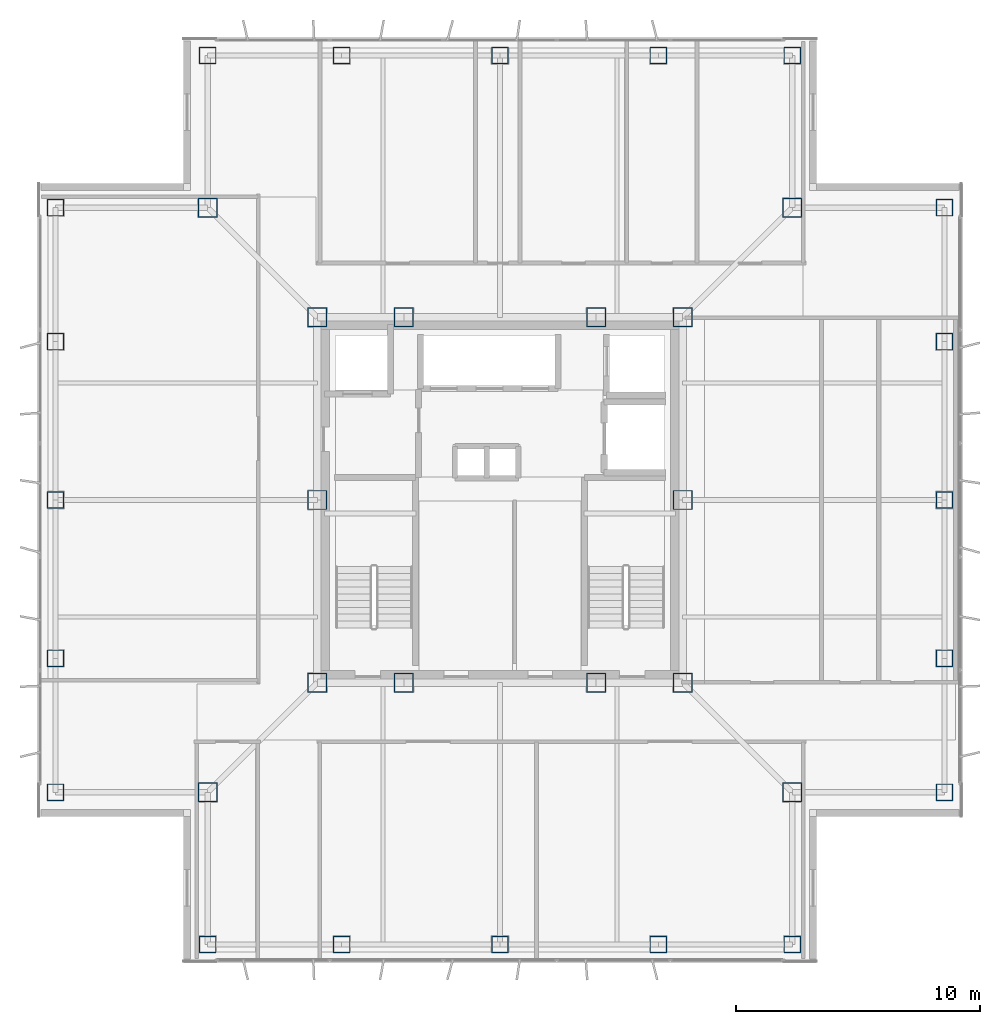
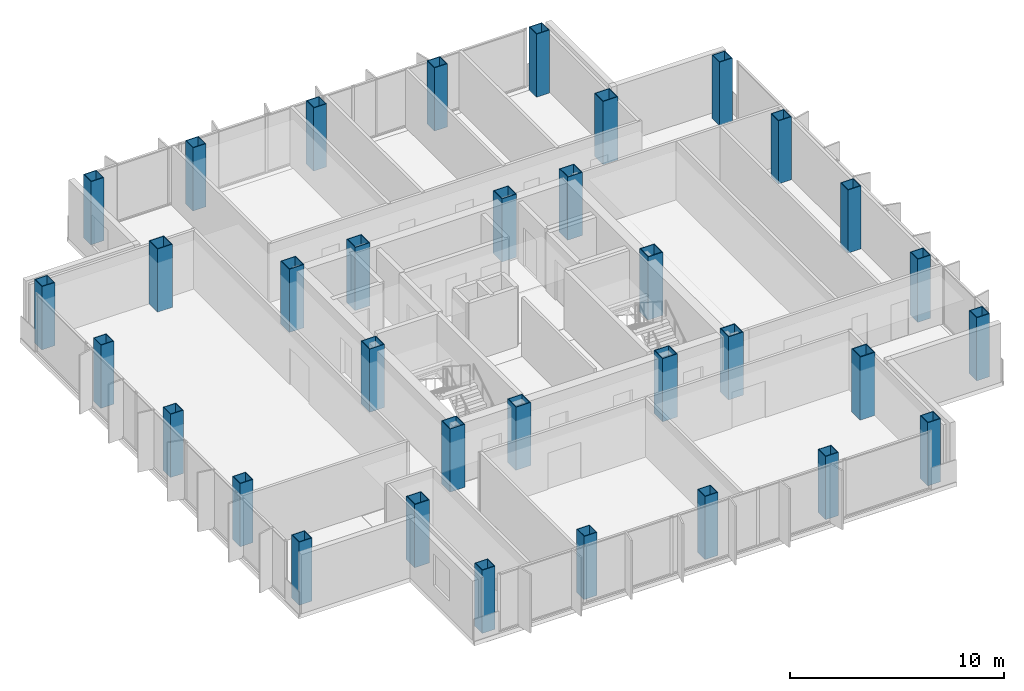
# One storey, part 1 of 15: 34 columns.
"""IFC4 building model written with IfcOpenShell, lengths in metres."""

import ifcopenshell
import ifcopenshell.guid

model = None  # the IFC model being written
_history = None  # IfcOwnerHistory: only IFC2X3 demands one
_inside = {}  # id of a spatial element -> (the spatial element, [elements in it])
_under = {}  # id of a project, library or spatial element -> (it, [spatial elements below it])
_declared = {}  # id of a project -> (the project, [libraries it declares])
_typed = {}  # id of a type object -> (the type object, [elements of that type])
_made_of = {}  # id of a material, layer set ... -> (it, [elements and type objects made of it])


def new_model(schema):
    """Start an empty IFC model of exactly this schema.

    Asked for "IFC4X3", IfcOpenShell would pick the latest addendum, in which some entities
    have other attributes; the version numbers below select the first issue.
    IFC2X3 requires an IfcOwnerHistory on every rooted entity: one is made here for all.
    """
    global model, _history
    if schema == "IFC4X3":
        model = ifcopenshell.file(schema_version=(4, 3, 0, 0))
    else:
        model = ifcopenshell.file(schema=schema)
    _inside.clear()
    _under.clear()
    _declared.clear()
    _typed.clear()
    _made_of.clear()
    _history = None
    if model.schema == "IFC2X3":
        org = make("IfcOrganization", Name="unknown")
        user = make(
            "IfcPersonAndOrganization",
            ThePerson=make("IfcPerson", FamilyName="unknown"),
            TheOrganization=org,
        )
        app = make(
            "IfcApplication",
            ApplicationDeveloper=org,
            Version="unknown",
            ApplicationFullName="unknown",
            ApplicationIdentifier="unknown",
        )
        _history = make(
            "IfcOwnerHistory",
            OwningUser=user,
            OwningApplication=app,
            ChangeAction="ADDED",
            CreationDate=0,
        )
    return model


def make(cls, **values):
    """One entity of the class cls with the attributes given. An attribute that is None is left unset."""
    return model.create_entity(
        cls, **{name: value for name, value in values.items() if value is not None}
    )


def rooted(cls, **values):
    """An entity with a GlobalId (a new one), such as an element, a storey or a relation."""
    return make(cls, GlobalId=ifcopenshell.guid.new(), OwnerHistory=_history, **values)


def si_unit(unit_type, name, prefix=None):
    """IfcSIUnit, for example si_unit("LENGTHUNIT", "METRE", prefix="MILLI")."""
    return make("IfcSIUnit", UnitType=unit_type, Prefix=prefix, Name=name)


def assignment(units):
    """IfcUnitAssignment: the units of a project."""
    return None if units is None else make("IfcUnitAssignment", Units=units)


def point(xyz):
    """IfcCartesianPoint."""
    return None if xyz is None else make("IfcCartesianPoint", Coordinates=xyz)


def direction(xyz):
    """IfcDirection."""
    return None if xyz is None else make("IfcDirection", DirectionRatios=xyz)


def frame(location, z_axis=None, x_axis=None):
    """IfcAxis2Placement3D, a coordinate frame: its origin and axes. An axis left out is left unset."""
    return make(
        "IfcAxis2Placement3D",
        Location=point(location),
        Axis=direction(z_axis),
        RefDirection=direction(x_axis),
    )


def frame_2d(location, x_axis=None):
    """IfcAxis2Placement2D, a coordinate frame in the plane: its origin and x axis."""
    return make(
        "IfcAxis2Placement2D", Location=point(location), RefDirection=direction(x_axis)
    )


def origin():
    """The frame at (0, 0, 0) with its axes left unset."""
    return frame((0.0, 0.0, 0.0))


def origin_2d():
    """The frame at (0, 0) in the plane with its x axis left unset."""
    return frame_2d((0.0, 0.0))


def place(relative_to, where):
    """IfcLocalPlacement: puts the frame where relative to a parent placement (None: the world)."""
    return make(
        "IfcLocalPlacement", PlacementRelTo=relative_to, RelativePlacement=where
    )


def context(
    kind, dimensions, precision=None, world=None, true_north=None, identifier=None
):
    """IfcGeometricRepresentationContext, for example the 3D "Model" context."""
    return make(
        "IfcGeometricRepresentationContext",
        ContextIdentifier=identifier,
        ContextType=kind,
        CoordinateSpaceDimension=dimensions,
        Precision=precision,
        WorldCoordinateSystem=world,
        TrueNorth=true_north,
    )


def subcontext(parent, identifier, kind, view, scale=None):
    """IfcGeometricRepresentationSubContext, for example "Body" below "Model"."""
    return make(
        "IfcGeometricRepresentationSubContext",
        ContextIdentifier=identifier,
        ContextType=kind,
        ParentContext=parent,
        TargetScale=scale,
        TargetView=view,
    )


def project(units=None, contexts=None):
    """IfcProject with its units and contexts."""
    return rooted(
        "IfcProject",
        Name="project",
        RepresentationContexts=contexts,
        UnitsInContext=assignment(units),
    )


def spatial(cls, under=None, at=None, **own):
    """A site, building, storey or space (cls), placed at a placement, below another one or the project."""
    s = rooted(cls, ObjectPlacement=at, **own)
    if under is not None:
        _under.setdefault(under.id(), (under, []))[1].append(s)
    return s


def profile(cls, at=None, kind="AREA", **sizes):
    """A parametric profile (cls). Its sizes go by their IFC names, for example OverallWidth=200.0."""
    return make(cls, ProfileType=kind, Position=at, **sizes)


def hollow_rectangle(**sizes):
    """IfcRectangleHollowProfileDef."""
    return profile("IfcRectangleHollowProfileDef", **sizes)


def extrude(swept, where, along, depth):
    """IfcExtrudedAreaSolid: the profile swept, set in the frame where, extruded along a direction by depth."""
    return make(
        "IfcExtrudedAreaSolid",
        SweptArea=swept,
        Position=where,
        ExtrudedDirection=direction(along),
        Depth=depth,
    )


def shape(context_of_items, identifier, shape_type, items):
    """IfcShapeRepresentation: the items that make up one representation, for example the "Body"."""
    return make(
        "IfcShapeRepresentation",
        ContextOfItems=context_of_items,
        RepresentationIdentifier=identifier,
        RepresentationType=shape_type,
        Items=items,
    )


def material(Name=None, Category=None):
    """IfcMaterial."""
    return make("IfcMaterial", Name=Name, Category=Category)


def material_profile(
    of_material, cross_section, Name=None, Category=None, Priority=None
):
    """IfcMaterialProfile: a cross section and its material."""
    return make(
        "IfcMaterialProfile",
        Name=Name,
        Material=of_material,
        Profile=cross_section,
        Priority=Priority,
        Category=Category,
    )


def profile_set(profiles, Name=None, composite=None):
    """IfcMaterialProfileSet."""
    return make(
        "IfcMaterialProfileSet",
        Name=Name,
        MaterialProfiles=profiles,
        CompositeProfile=composite,
    )


def made_of(thing, what):
    """Note that an element or type object is made of a material, layer set ...; save() writes the relation."""
    if what is not None:
        _made_of.setdefault(what.id(), (what, []))[1].append(thing)
    return thing


def type_object(cls, material=None, **own):
    """A type object (cls), such as IfcWallType, which elements share."""
    return made_of(rooted(cls, **own), material)


def element(
    cls,
    number,
    at=None,
    inside=None,
    cuts=None,
    type_object=None,
    material=None,
    context=None,
    identifier="Body",
    shape_type=None,
    held_by="IfcProductDefinitionShape",
    body=None,
    shapes=None,
    **own,
):
    """One element of the class cls, such as IfcWall. Its Tag is "e" and its number.

    at: its placement. inside: the storey or other place that contains it. cuts: it is an
    opening in that element (IfcRelVoidsElement). A single representation is given by context,
    identifier, shape_type and body (its items); several are given by shapes. held_by: the class
    of the entity that holds the representations. save() writes the other relations.
    """
    e = rooted(cls, Tag="e%d" % number, ObjectPlacement=at, **own)
    if body is not None:
        shapes = [shape(context, identifier, shape_type, body)]
    if shapes is not None:
        e.Representation = make(held_by, Representations=shapes)
    if inside is not None:
        _inside.setdefault(inside.id(), (inside, []))[1].append(e)
    if cuts is not None:
        rooted(
            "IfcRelVoidsElement", RelatingBuildingElement=cuts, RelatedOpeningElement=e
        )
    if type_object is not None:
        _typed.setdefault(type_object.id(), (type_object, []))[1].append(e)
    return made_of(e, material)


def aggregate(whole, parts):
    """IfcRelAggregates: a whole, such as a stair, and the parts it consists of."""
    return rooted("IfcRelAggregates", RelatingObject=whole, RelatedObjects=parts)


def save(model, path):
    """Write the relations noted so far, then the file.

    IfcRelAggregates (storeys below a building ...), IfcRelContainedInSpatialStructure (elements
    in a storey), IfcRelDefinesByType, IfcRelAssociatesMaterial and IfcRelDeclares: one each for
    every whole, place, type object, material and project.
    """
    for whole, parts in _under.values():
        aggregate(whole, parts)
    for where, things in _inside.values():
        rooted(
            "IfcRelContainedInSpatialStructure",
            RelatedElements=things,
            RelatingStructure=where,
        )
    for kind, things in _typed.values():
        rooted("IfcRelDefinesByType", RelatedObjects=things, RelatingType=kind)
    for what, things in _made_of.values():
        rooted("IfcRelAssociatesMaterial", RelatedObjects=things, RelatingMaterial=what)
    for by, libraries in _declared.values():
        rooted("IfcRelDeclares", RelatingContext=by, RelatedDefinitions=libraries)
    model.write(path)


model = new_model("IFC4")

# Units and contexts
model_context = context("Model", 3, precision=1e-05, world=origin(), true_north=direction((0.0, 1.0)))
body_context = subcontext(model_context, "Body", "Model", "MODEL_VIEW")
ifc_project = project(units=[si_unit("LENGTHUNIT", "METRE"), si_unit("AREAUNIT", "SQUARE_METRE"), si_unit("VOLUMEUNIT", "CUBIC_METRE"), si_unit("PLANEANGLEUNIT", "RADIAN"), si_unit("MASSUNIT", "GRAM", prefix="KILO")], contexts=[model_context])

# Site, building, storey
site_placement = place(None, origin())
site = spatial("IfcSite", under=ifc_project, at=site_placement, CompositionType="ELEMENT")
building_placement = place(site_placement, origin())
building = spatial("IfcBuilding", under=site, at=building_placement, Name="Trevonay Congress Spire", CompositionType="ELEMENT")
storey_placement = place(building_placement, frame((0.0, 0.0, 272.0)))
storey = spatial("IfcBuildingStorey", under=building, at=storey_placement, Name="L71", CompositionType="ELEMENT", Elevation=272.0)

# Columns
ifc_material = material(Name="Steel ASTM A572 Grade 50", Category="steel")
ifc_material_profile_1 = material_profile(ifc_material, hollow_rectangle(XDim=0.800048828125, YDim=0.800048828125, WallThickness=0.0400390625, at=origin_2d()), Name="BOX 800x800x40")
ifc_profile_set_1 = profile_set([ifc_material_profile_1], Name="Steel ASTM A572 Grade 50")
column_type_1 = type_object("IfcColumnType", Name="COL-CORE-BOX800", PredefinedType="COLUMN", material=ifc_profile_set_1)
for number, where, z_axis, x_axis, name in (
    (1, (-7.5, -7.5, 0.0), (0.0, 0.0, 1.0), (1.0, 0.0, 0.0), "L71 column C05 at CC-SW"),
    (2, (-3.949951171875, -7.5, 0.0), (0.0, 0.0, 1.0), (1.0, 0.0, 0.0), "L71 column C05 at CC-SMW"),
    (3, (3.949951171875, -7.5, 0.0), (0.0, 0.0, 1.0), (1.0, 0.0, 0.0), "L71 column C05 at CC-SME"),
    (4, (7.5, -7.5, 0.0), (0.0, 0.0, 1.0), (1.0, 0.0, 0.0), "L71 column C05 at CC-SE"),
    (5, (7.5, 0.0, 0.0), (0.0, 0.0, 1.0), (1.0, 0.0, 0.0), "L71 column C05 at CC-E"),
    (6, (7.5, 7.5, 0.0), (0.0, 0.0, 1.0), (1.0, 0.0, 0.0), "L71 column C05 at CC-NE"),
    (7, (3.949951171875, 7.5, 0.0), (0.0, 0.0, 1.0), (1.0, 0.0, 0.0), "L71 column C05 at CC-NME"),
    (8, (-3.949951171875, 7.5, 0.0), (0.0, 0.0, 1.0), (1.0, 0.0, 0.0), "L71 column C05 at CC-NMW"),
    (9, (-7.5, 7.5, 0.0), (0.0, 0.0, 1.0), (1.0, 0.0, 0.0), "L71 column C05 at CC-NW"),
    (10, (-7.5, 0.0, 0.0), (0.0, 0.0, 1.0), (1.0, 0.0, 0.0), "L71 column C05 at CC-W"),
):
    element("IfcColumn", number, at=place(storey_placement, frame(where, z_axis=z_axis, x_axis=x_axis)), inside=storey, type_object=column_type_1, Name=name, PredefinedType="COLUMN", context=body_context, shape_type="SweptSolid", body=[
        extrude(hollow_rectangle(XDim=0.800048828125, YDim=0.800048828125, WallThickness=0.0400390625, at=origin_2d()), origin(), (0.0, 0.0, 1.0), 3.60009765625),
    ])
ifc_material_profile_2 = material_profile(ifc_material, hollow_rectangle(XDim=0.699951171875, YDim=0.699951171875, WallThickness=0.034912109375, at=origin_2d()), Name="BOX 700x700x35")
ifc_profile_set_2 = profile_set([ifc_material_profile_2], Name="Steel ASTM A572 Grade 50")
column_type_2 = type_object("IfcColumnType", Name="COL-TUBE-BOX700", PredefinedType="COLUMN", material=ifc_profile_set_2)
for number, where, z_axis, x_axis, name in (
    (11, (-12.0, -18.25, 0.0), (0.0, 0.0, 1.0), (1.0, 0.0, 0.0), "L71 column C17 at TS-1"),
    (12, (-12.0, 18.25, 0.0), (0.0, 0.0, 1.0), (1.0, 0.0, 0.0), "L71 column C17 at TN-1"),
    (13, (-18.25, -12.0, 0.0), (0.0, 0.0, 1.0), (1.0, 0.0, 0.0), "L71 column C17 at TW-1"),
    (14, (18.25, -12.0, 0.0), (0.0, 0.0, 1.0), (1.0, 0.0, 0.0), "L71 column C17 at TE-1"),
    (15, (-6.5, -18.25, 0.0), (0.0, 0.0, 1.0), (1.0, 0.0, 0.0), "L71 column C17 at TS-2"),
    (16, (-6.5, 18.25, 0.0), (0.0, 0.0, 1.0), (1.0, 0.0, 0.0), "L71 column C17 at TN-2"),
    (17, (-18.25, -6.5, 0.0), (0.0, 0.0, 1.0), (1.0, 0.0, 0.0), "L71 column C17 at TW-2"),
    (18, (18.25, -6.5, 0.0), (0.0, 0.0, 1.0), (1.0, 0.0, 0.0), "L71 column C17 at TE-2"),
    (19, (0.0, -18.25, 0.0), (0.0, 0.0, 1.0), (1.0, 0.0, 0.0), "L71 column C17 at TS-3"),
    (20, (0.0, 18.25, 0.0), (0.0, 0.0, 1.0), (1.0, 0.0, 0.0), "L71 column C17 at TN-3"),
    (21, (-18.25, 0.0, 0.0), (0.0, 0.0, 1.0), (1.0, 0.0, 0.0), "L71 column C17 at TW-3"),
    (22, (18.25, 0.0, 0.0), (0.0, 0.0, 1.0), (1.0, 0.0, 0.0), "L71 column C17 at TE-3"),
    (23, (6.5, -18.25, 0.0), (0.0, 0.0, 1.0), (1.0, 0.0, 0.0), "L71 column C17 at TS-4"),
    (24, (6.5, 18.25, 0.0), (0.0, 0.0, 1.0), (1.0, 0.0, 0.0), "L71 column C17 at TN-4"),
    (25, (-18.25, 6.5, 0.0), (0.0, 0.0, 1.0), (1.0, 0.0, 0.0), "L71 column C17 at TW-4"),
    (26, (18.25, 6.5, 0.0), (0.0, 0.0, 1.0), (1.0, 0.0, 0.0), "L71 column C17 at TE-4"),
    (27, (12.0, -18.25, 0.0), (0.0, 0.0, 1.0), (1.0, 0.0, 0.0), "L71 column C17 at TS-5"),
    (28, (12.0, 18.25, 0.0), (0.0, 0.0, 1.0), (1.0, 0.0, 0.0), "L71 column C17 at TN-5"),
    (29, (-18.25, 12.0, 0.0), (0.0, 0.0, 1.0), (1.0, 0.0, 0.0), "L71 column C17 at TW-5"),
    (30, (18.25, 12.0, 0.0), (0.0, 0.0, 1.0), (1.0, 0.0, 0.0), "L71 column C17 at TE-5"),
):
    element("IfcColumn", number, at=place(storey_placement, frame(where, z_axis=z_axis, x_axis=x_axis)), inside=storey, type_object=column_type_2, Name=name, PredefinedType="COLUMN", context=body_context, shape_type="SweptSolid", body=[
        extrude(hollow_rectangle(XDim=0.699951171875, YDim=0.699951171875, WallThickness=0.034912109375, at=origin_2d()), origin(), (0.0, 0.0, 1.0), 3.60009765625),
    ])
ifc_material_profile_3 = material_profile(ifc_material, hollow_rectangle(XDim=0.800048828125, YDim=0.800048828125, WallThickness=0.0400390625, at=origin_2d()), Name="BOX 800x800x40")
ifc_profile_set_3 = profile_set([ifc_material_profile_3], Name="Steel ASTM A572 Grade 50")
column_type_3 = type_object("IfcColumnType", Name="COL-TUBE-BOX800", PredefinedType="COLUMN", material=ifc_profile_set_3)
for number, where, z_axis, x_axis, name in (
    (31, (-12.0, -12.0, 0.0), (0.0, 0.0, 1.0), (1.0, 0.0, 0.0), "L71 column C16 at NC-SW"),
    (32, (12.0, -12.0, 0.0), (0.0, 0.0, 1.0), (1.0, 0.0, 0.0), "L71 column C16 at NC-SE"),
    (33, (12.0, 12.0, 0.0), (0.0, 0.0, 1.0), (1.0, 0.0, 0.0), "L71 column C16 at NC-NE"),
    (34, (-12.0, 12.0, 0.0), (0.0, 0.0, 1.0), (1.0, 0.0, 0.0), "L71 column C16 at NC-NW"),
):
    element("IfcColumn", number, at=place(storey_placement, frame(where, z_axis=z_axis, x_axis=x_axis)), inside=storey, type_object=column_type_3, Name=name, PredefinedType="COLUMN", context=body_context, shape_type="SweptSolid", body=[
        extrude(hollow_rectangle(XDim=0.800048828125, YDim=0.800048828125, WallThickness=0.0400390625, at=origin_2d()), origin(), (0.0, 0.0, 1.0), 3.60009765625),
    ])

save(model, "model.ifc")
